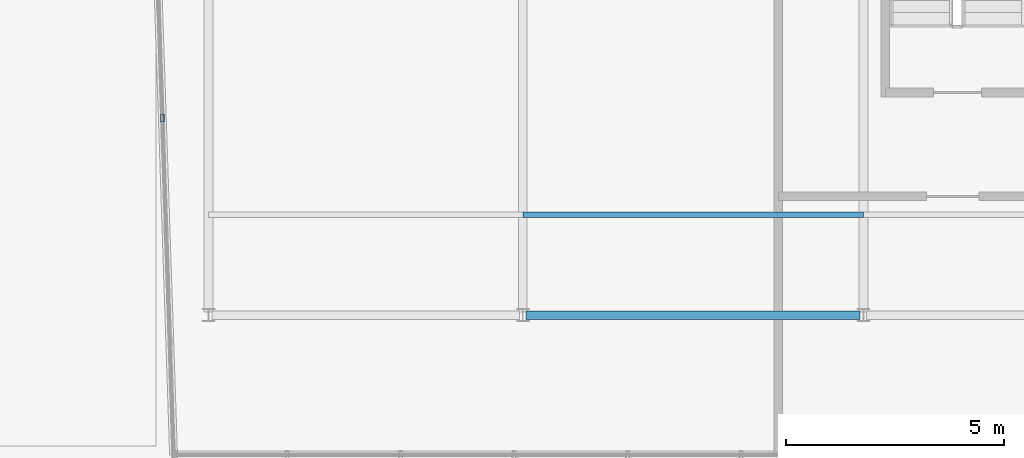
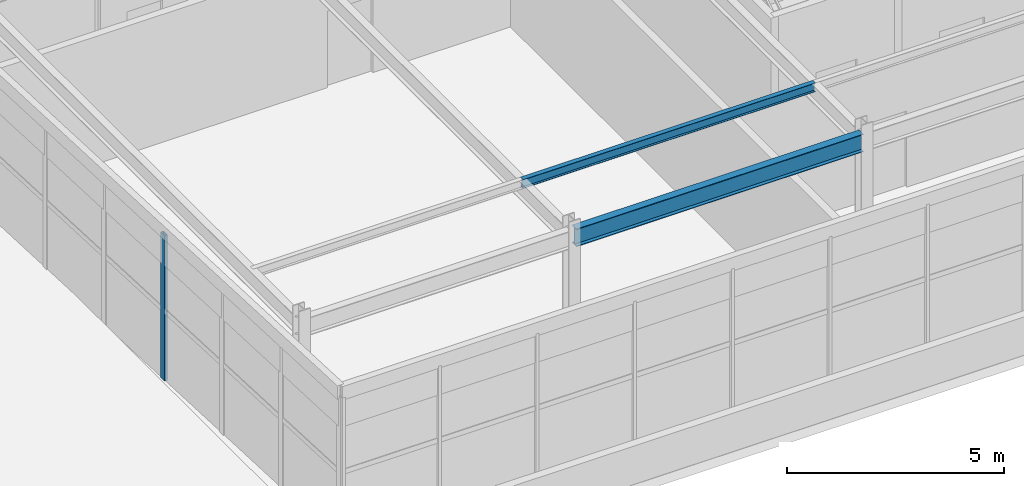
# One storey, part 16 of 37: 2 members, 1 beam, 1 element without a shape of its own.
"""IFC4 building model written with IfcOpenShell, lengths in metres."""

import ifcopenshell
import ifcopenshell.guid

model = None  # the IFC model being written
_history = None  # IfcOwnerHistory: only IFC2X3 demands one
_inside = {}  # id of a spatial element -> (the spatial element, [elements in it])
_under = {}  # id of a project, library or spatial element -> (it, [spatial elements below it])
_declared = {}  # id of a project -> (the project, [libraries it declares])
_typed = {}  # id of a type object -> (the type object, [elements of that type])
_made_of = {}  # id of a material, layer set ... -> (it, [elements and type objects made of it])


def new_model(schema):
    """Start an empty IFC model of exactly this schema.

    Asked for "IFC4X3", IfcOpenShell would pick the latest addendum, in which some entities
    have other attributes; the version numbers below select the first issue.
    IFC2X3 requires an IfcOwnerHistory on every rooted entity: one is made here for all.
    """
    global model, _history
    if schema == "IFC4X3":
        model = ifcopenshell.file(schema_version=(4, 3, 0, 0))
    else:
        model = ifcopenshell.file(schema=schema)
    _inside.clear()
    _under.clear()
    _declared.clear()
    _typed.clear()
    _made_of.clear()
    _history = None
    if model.schema == "IFC2X3":
        org = make("IfcOrganization", Name="unknown")
        user = make(
            "IfcPersonAndOrganization",
            ThePerson=make("IfcPerson", FamilyName="unknown"),
            TheOrganization=org,
        )
        app = make(
            "IfcApplication",
            ApplicationDeveloper=org,
            Version="unknown",
            ApplicationFullName="unknown",
            ApplicationIdentifier="unknown",
        )
        _history = make(
            "IfcOwnerHistory",
            OwningUser=user,
            OwningApplication=app,
            ChangeAction="ADDED",
            CreationDate=0,
        )
    return model


def make(cls, **values):
    """One entity of the class cls with the attributes given. An attribute that is None is left unset."""
    return model.create_entity(
        cls, **{name: value for name, value in values.items() if value is not None}
    )


def rooted(cls, **values):
    """An entity with a GlobalId (a new one), such as an element, a storey or a relation."""
    return make(cls, GlobalId=ifcopenshell.guid.new(), OwnerHistory=_history, **values)


def si_unit(unit_type, name, prefix=None):
    """IfcSIUnit, for example si_unit("LENGTHUNIT", "METRE", prefix="MILLI")."""
    return make("IfcSIUnit", UnitType=unit_type, Prefix=prefix, Name=name)


def assignment(units):
    """IfcUnitAssignment: the units of a project."""
    return None if units is None else make("IfcUnitAssignment", Units=units)


def point(xyz):
    """IfcCartesianPoint."""
    return None if xyz is None else make("IfcCartesianPoint", Coordinates=xyz)


def direction(xyz):
    """IfcDirection."""
    return None if xyz is None else make("IfcDirection", DirectionRatios=xyz)


def frame(location, z_axis=None, x_axis=None):
    """IfcAxis2Placement3D, a coordinate frame: its origin and axes. An axis left out is left unset."""
    return make(
        "IfcAxis2Placement3D",
        Location=point(location),
        Axis=direction(z_axis),
        RefDirection=direction(x_axis),
    )


def frame_2d(location, x_axis=None):
    """IfcAxis2Placement2D, a coordinate frame in the plane: its origin and x axis."""
    return make(
        "IfcAxis2Placement2D", Location=point(location), RefDirection=direction(x_axis)
    )


def origin():
    """The frame at (0, 0, 0) with its axes left unset."""
    return frame((0.0, 0.0, 0.0))


def origin_2d():
    """The frame at (0, 0) in the plane with its x axis left unset."""
    return frame_2d((0.0, 0.0))


def place(relative_to, where):
    """IfcLocalPlacement: puts the frame where relative to a parent placement (None: the world)."""
    return make(
        "IfcLocalPlacement", PlacementRelTo=relative_to, RelativePlacement=where
    )


def context(
    kind, dimensions, precision=None, world=None, true_north=None, identifier=None
):
    """IfcGeometricRepresentationContext, for example the 3D "Model" context."""
    return make(
        "IfcGeometricRepresentationContext",
        ContextIdentifier=identifier,
        ContextType=kind,
        CoordinateSpaceDimension=dimensions,
        Precision=precision,
        WorldCoordinateSystem=world,
        TrueNorth=true_north,
    )


def subcontext(parent, identifier, kind, view, scale=None):
    """IfcGeometricRepresentationSubContext, for example "Body" below "Model"."""
    return make(
        "IfcGeometricRepresentationSubContext",
        ContextIdentifier=identifier,
        ContextType=kind,
        ParentContext=parent,
        TargetScale=scale,
        TargetView=view,
    )


def project(units=None, contexts=None):
    """IfcProject with its units and contexts."""
    return rooted(
        "IfcProject",
        Name="project",
        RepresentationContexts=contexts,
        UnitsInContext=assignment(units),
    )


def spatial(cls, under=None, at=None, **own):
    """A site, building, storey or space (cls), placed at a placement, below another one or the project."""
    s = rooted(cls, ObjectPlacement=at, **own)
    if under is not None:
        _under.setdefault(under.id(), (under, []))[1].append(s)
    return s


def profile(cls, at=None, kind="AREA", **sizes):
    """A parametric profile (cls). Its sizes go by their IFC names, for example OverallWidth=200.0."""
    return make(cls, ProfileType=kind, Position=at, **sizes)


def hollow_rectangle(**sizes):
    """IfcRectangleHollowProfileDef."""
    return profile("IfcRectangleHollowProfileDef", **sizes)


def i_section(**sizes):
    """IfcIShapeProfileDef."""
    return profile("IfcIShapeProfileDef", **sizes)


def extrude(swept, where, along, depth):
    """IfcExtrudedAreaSolid: the profile swept, set in the frame where, extruded along a direction by depth."""
    return make(
        "IfcExtrudedAreaSolid",
        SweptArea=swept,
        Position=where,
        ExtrudedDirection=direction(along),
        Depth=depth,
    )


def shape(context_of_items, identifier, shape_type, items):
    """IfcShapeRepresentation: the items that make up one representation, for example the "Body"."""
    return make(
        "IfcShapeRepresentation",
        ContextOfItems=context_of_items,
        RepresentationIdentifier=identifier,
        RepresentationType=shape_type,
        Items=items,
    )


def source(mapping_origin, context_of_items, identifier, shape_type, items):
    """IfcRepresentationMap: a shape defined once, which mapped items show again and again."""
    return make(
        "IfcRepresentationMap",
        MappingOrigin=mapping_origin,
        MappedRepresentation=shape(context_of_items, identifier, shape_type, items),
    )


def transform(
    local_origin,
    x_axis=None,
    y_axis=None,
    z_axis=None,
    scale=None,
    scale2=None,
    scale3=None,
    uniform=True,
):
    """IfcCartesianTransformationOperator3D, or its non-uniform kind. x_axis, y_axis, z_axis: its Axis1, 2, 3."""
    if uniform:
        return make(
            "IfcCartesianTransformationOperator3D",
            Axis1=direction(x_axis),
            Axis2=direction(y_axis),
            LocalOrigin=point(local_origin),
            Scale=scale,
            Axis3=direction(z_axis),
        )
    return make(
        "IfcCartesianTransformationOperator3DnonUniform",
        Axis1=direction(x_axis),
        Axis2=direction(y_axis),
        LocalOrigin=point(local_origin),
        Scale=scale,
        Axis3=direction(z_axis),
        Scale2=scale2,
        Scale3=scale3,
    )


def mapped(mapping_source, mapping_target):
    """IfcMappedItem: shows the shape of a source again, moved by a transform."""
    return make(
        "IfcMappedItem", MappingSource=mapping_source, MappingTarget=mapping_target
    )


def material(Name=None, Category=None):
    """IfcMaterial."""
    return make("IfcMaterial", Name=Name, Category=Category)


def material_profile(
    of_material, cross_section, Name=None, Category=None, Priority=None
):
    """IfcMaterialProfile: a cross section and its material."""
    return make(
        "IfcMaterialProfile",
        Name=Name,
        Material=of_material,
        Profile=cross_section,
        Priority=Priority,
        Category=Category,
    )


def profile_set(profiles, Name=None, composite=None):
    """IfcMaterialProfileSet."""
    return make(
        "IfcMaterialProfileSet",
        Name=Name,
        MaterialProfiles=profiles,
        CompositeProfile=composite,
    )


def made_of(thing, what):
    """Note that an element or type object is made of a material, layer set ...; save() writes the relation."""
    if what is not None:
        _made_of.setdefault(what.id(), (what, []))[1].append(thing)
    return thing


def type_object(cls, material=None, **own):
    """A type object (cls), such as IfcWallType, which elements share."""
    return made_of(rooted(cls, **own), material)


def element(
    cls,
    number,
    at=None,
    inside=None,
    cuts=None,
    type_object=None,
    material=None,
    context=None,
    identifier="Body",
    shape_type=None,
    held_by="IfcProductDefinitionShape",
    body=None,
    shapes=None,
    **own,
):
    """One element of the class cls, such as IfcWall. Its Tag is "e" and its number.

    at: its placement. inside: the storey or other place that contains it. cuts: it is an
    opening in that element (IfcRelVoidsElement). A single representation is given by context,
    identifier, shape_type and body (its items); several are given by shapes. held_by: the class
    of the entity that holds the representations. save() writes the other relations.
    """
    e = rooted(cls, Tag="e%d" % number, ObjectPlacement=at, **own)
    if body is not None:
        shapes = [shape(context, identifier, shape_type, body)]
    if shapes is not None:
        e.Representation = make(held_by, Representations=shapes)
    if inside is not None:
        _inside.setdefault(inside.id(), (inside, []))[1].append(e)
    if cuts is not None:
        rooted(
            "IfcRelVoidsElement", RelatingBuildingElement=cuts, RelatedOpeningElement=e
        )
    if type_object is not None:
        _typed.setdefault(type_object.id(), (type_object, []))[1].append(e)
    return made_of(e, material)


def aggregate(whole, parts):
    """IfcRelAggregates: a whole, such as a stair, and the parts it consists of."""
    return rooted("IfcRelAggregates", RelatingObject=whole, RelatedObjects=parts)


def save(model, path):
    """Write the relations noted so far, then the file.

    IfcRelAggregates (storeys below a building ...), IfcRelContainedInSpatialStructure (elements
    in a storey), IfcRelDefinesByType, IfcRelAssociatesMaterial and IfcRelDeclares: one each for
    every whole, place, type object, material and project.
    """
    for whole, parts in _under.values():
        aggregate(whole, parts)
    for where, things in _inside.values():
        rooted(
            "IfcRelContainedInSpatialStructure",
            RelatedElements=things,
            RelatingStructure=where,
        )
    for kind, things in _typed.values():
        rooted("IfcRelDefinesByType", RelatedObjects=things, RelatingType=kind)
    for what, things in _made_of.values():
        rooted("IfcRelAssociatesMaterial", RelatedObjects=things, RelatingMaterial=what)
    for by, libraries in _declared.values():
        rooted("IfcRelDeclares", RelatingContext=by, RelatedDefinitions=libraries)
    model.write(path)


model = new_model("IFC4")

# Units and contexts
model_context = context("Model", 3, precision=1e-05, world=origin(), true_north=direction((0.0, 1.0)))
body_context = subcontext(model_context, "Body", "Model", "MODEL_VIEW")
ifc_project = project(units=[si_unit("LENGTHUNIT", "METRE"), si_unit("AREAUNIT", "SQUARE_METRE"), si_unit("VOLUMEUNIT", "CUBIC_METRE"), si_unit("PLANEANGLEUNIT", "RADIAN"), si_unit("MASSUNIT", "GRAM", prefix="KILO")], contexts=[model_context])

# Site, building, storey
site_placement = place(None, origin())
site = spatial("IfcSite", under=ifc_project, at=site_placement, CompositionType="ELEMENT")
building_placement = place(site_placement, origin())
building = spatial("IfcBuilding", under=site, at=building_placement, Name="Trelvane Seafront Commons", CompositionType="ELEMENT")
storey_placement = place(building_placement, frame((0.0, 0.0, 303.5)))
storey = spatial("IfcBuildingStorey", under=building, at=storey_placement, Name="L79", CompositionType="ELEMENT", Elevation=303.5)

# Beam
ifc_material_1 = material(Name="Steel SM355 (S355)", Category="steel")
ifc_material_profile_1 = material_profile(ifc_material_1, i_section(OverallWidth=0.199951171875, OverallDepth=0.5, WebThickness=0.010009765625, FlangeThickness=0.01611328125, at=origin_2d()), Name="H-500x200x10x16")
ifc_profile_set_1 = profile_set([ifc_material_profile_1], Name="Steel SM355 (S355)")
beam_type = type_object("IfcBeamType", Name="STR-CROWN-FRAME-RING", PredefinedType="SPANDREL", material=ifc_profile_set_1)
shared_shape_1 = source(origin(), body_context, "Body", "SweptSolid", [
    extrude(i_section(OverallWidth=0.199951171875, OverallDepth=0.5, WebThickness=0.010009765625, FlangeThickness=0.01611328125, at=origin_2d()), origin(), (0.0, 0.0, 1.0), 7.650146484375),
])
beam_placement = place(storey_placement, frame((51.074951171875, 18.199951171875, 3.85009765625), z_axis=(1.0, 0.0, 0.0), x_axis=(0.0, 1.0, 0.0)))
element("IfcBeam", 1, at=beam_placement, inside=storey, type_object=beam_type, Name="L79 CROWN FRAME Ring Beam G-06", PredefinedType="SPANDREL", context=body_context, shape_type="MappedRepresentation", body=[
    mapped(shared_shape_1, transform((0.0, 0.0, 0.0), x_axis=(1.0, 0.0, 0.0), y_axis=(0.0, 1.0, 0.0), z_axis=(0.0, 0.0, 1.0), scale=1.0)),
])

# Member
ifc_material_profile_2 = material_profile(ifc_material_1, i_section(OverallWidth=0.125, OverallDepth=0.25, WebThickness=0.006103515625, FlangeThickness=0.009033203125, at=origin_2d()), Name="H-250x125x6x9")
ifc_profile_set_2 = profile_set([ifc_material_profile_2], Name="Steel SM355 (S355)")
member_type_1 = type_object("IfcMemberType", Name="STR-PUR-H250", PredefinedType="PURLIN", material=ifc_profile_set_2)
shared_shape_2 = source(origin(), body_context, "Body", "SweptSolid", [
    extrude(i_section(OverallWidth=0.125, OverallDepth=0.25, WebThickness=0.006103515625, FlangeThickness=0.009033203125, at=origin_2d()), origin(), (0.0, 0.0, 1.0), 7.800048828125),
])
member_1_placement = place(storey_placement, frame((51.0, 20.5, 3.97509765625), z_axis=(1.0, 0.0, 0.0), x_axis=(0.0, 1.0, 0.0)))
element("IfcMember", 2, at=member_1_placement, inside=storey, type_object=member_type_1, Name="L79 Crown Roof Purlin PR-1", PredefinedType="PURLIN", context=body_context, shape_type="MappedRepresentation", body=[
    mapped(shared_shape_2, transform((0.0, 0.0, 0.0), x_axis=(1.0, 0.0, 0.0), y_axis=(0.0, 1.0, 0.0), z_axis=(0.0, 0.0, 1.0), scale=1.0)),
])

# Curtain wall, member
ifc_material_2 = material(Name="Anodised pale-silver aluminium", Category="aluminium")
curtain_wall_type = type_object("IfcCurtainWallType", Name="ARCH-CW6-CROWN", PredefinedType="NOTDEFINED", material=ifc_material_2)
curtain_wall_placement = place(storey_placement, origin())
curtain_wall = element("IfcCurtainWall", 3, at=curtain_wall_placement, inside=storey, type_object=curtain_wall_type, Name="CW-L79-0132", PredefinedType="NOTDEFINED")
ifc_material_profile_3 = material_profile(ifc_material_2, hollow_rectangle(XDim=0.080078125, YDim=0.179931640625, WallThickness=0.00439453125, at=origin_2d()), Name="MULL-80x180x4.5")
ifc_profile_set_3 = profile_set([ifc_material_profile_3], Name="Anodised pale-silver aluminium")
member_type_2 = type_object("IfcMemberType", Name="ARCH-CW-MULL-180", PredefinedType="MULLION", material=ifc_profile_set_3)
shared_shape_3 = source(origin(), body_context, "Body", "SweptSolid", [
    extrude(hollow_rectangle(XDim=0.080078125, YDim=0.179931640625, WallThickness=0.00439453125, at=origin_2d()), origin(), (0.0, 0.0, 1.0), 4.10009765625),
])
member_2_placement = place(storey_placement, frame((42.742919921875, 22.71435546875, 0.0), z_axis=(0.0, 0.0, 1.0), x_axis=(1.0, 0.0, 0.0)))
member_2 = element("IfcMember", 4, at=member_2_placement, type_object=member_type_2, Name="CW-L79-0132-M03", PredefinedType="MULLION", context=body_context, shape_type="MappedRepresentation", body=[
    mapped(shared_shape_3, transform((0.0, 0.0, 0.0), x_axis=(1.0, 0.0, 0.0), y_axis=(0.0, 1.0, 0.0), z_axis=(0.0, 0.0, 1.0), scale=1.0)),
])
aggregate(curtain_wall, [member_2])

save(model, "model.ifc")
